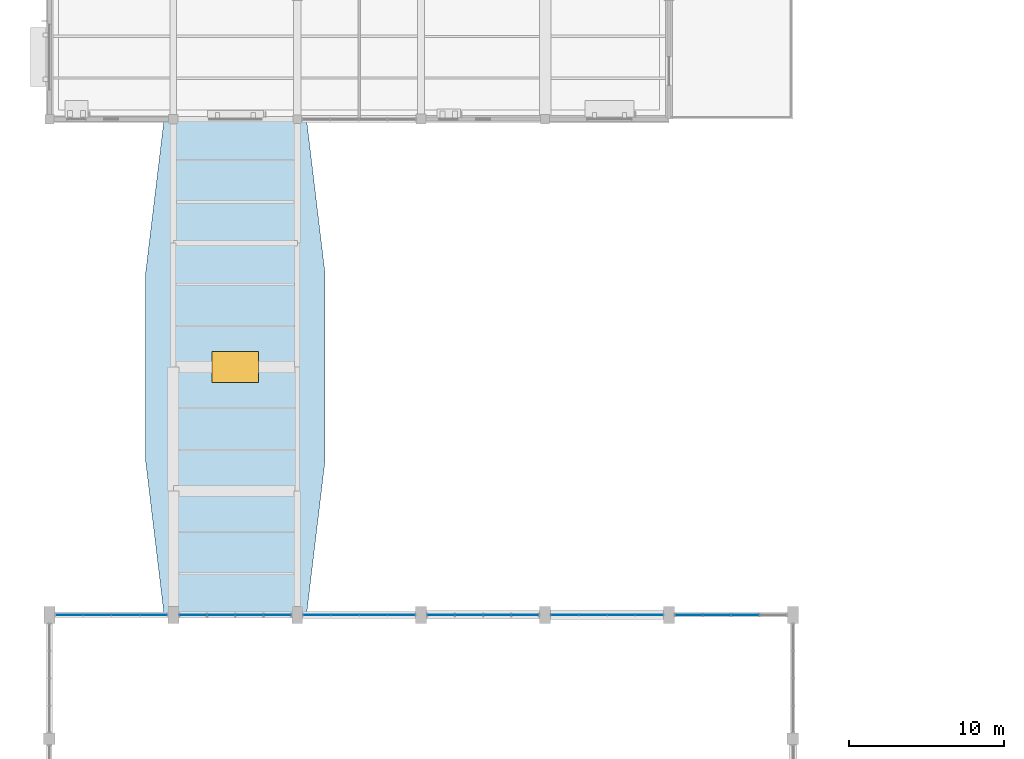
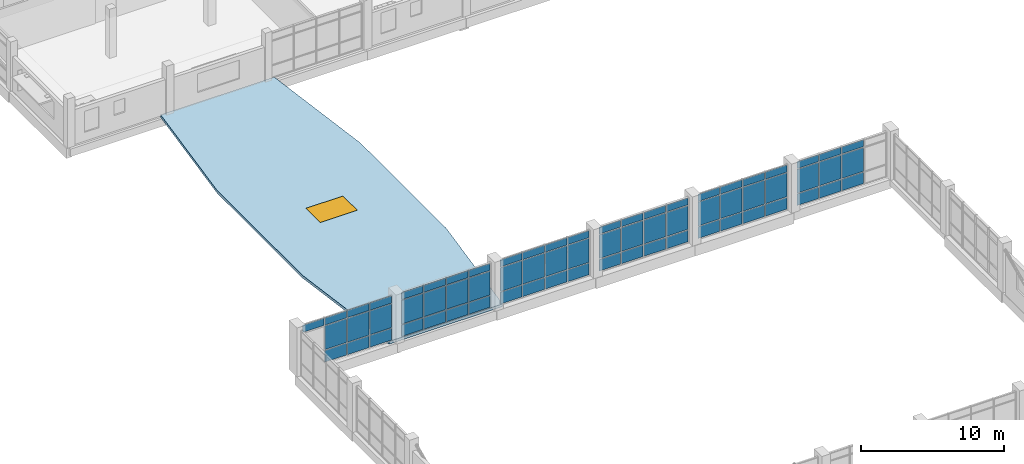
# One storey, part 49 of 72: 67 plates, 1 slab, 1 window, 1 opening, 6 elements without a shape of their own.
"""IFC4 building model written with IfcOpenShell, lengths in metres."""

from ifc_helpers import new_model, si_unit, direction, frame, origin, origin_2d, place, context, subcontext, project, spatial, polyline, rectangle, outline, extrude, material, layer, layer_set, type_object, element, fill, aggregate, save


model = new_model("IFC4")

# Units and contexts
model_context = context("Model", 3, precision=1e-05, world=origin(), true_north=direction((0.0, 1.0)))
body_context = subcontext(model_context, "Body", "Model", "MODEL_VIEW")
ifc_project = project(units=[si_unit("LENGTHUNIT", "METRE"), si_unit("AREAUNIT", "SQUARE_METRE"), si_unit("VOLUMEUNIT", "CUBIC_METRE"), si_unit("PLANEANGLEUNIT", "RADIAN"), si_unit("MASSUNIT", "GRAM", prefix="KILO")], contexts=[model_context])

# Site, building, storey
site_placement = place(None, origin())
site = spatial("IfcSite", under=ifc_project, at=site_placement, CompositionType="ELEMENT")
building_placement = place(site_placement, origin())
building = spatial("IfcBuilding", under=site, at=building_placement, Name="Tenunan Teduh Sports Hall", CompositionType="ELEMENT")
storey_placement = place(building_placement, frame((0.0, 0.0, 15.0)))
storey = spatial("IfcBuildingStorey", under=building, at=storey_placement, Name="L03", CompositionType="ELEMENT", Elevation=15.0)

# Curtain wall, plates
ifc_material_1 = material(Name="Anodised aluminium", Category="aluminium")
curtain_wall_type = type_object("IfcCurtainWallType", Name="CW-UNIT-2", PredefinedType="NOTDEFINED", material=ifc_material_1)
curtain_wall_1_placement = place(storey_placement, origin())
curtain_wall_1 = element("IfcCurtainWall", 1, at=curtain_wall_1_placement, inside=storey, type_object=curtain_wall_type, Name="CW-CWM-150-L03-075", PredefinedType="NOTDEFINED")
ifc_material_2 = material(Name="Solar-control laminated glazing", Category="glass")
ifc_layer_1 = layer(ifc_material_2, 0.031982421875)
ifc_layer_set_1 = layer_set([ifc_layer_1], Name="Solar-control laminated glazing")
plate_type_1 = type_object("IfcPlateType", Name="CWP-GLZ-32", PredefinedType="CURTAIN_PANEL", material=ifc_layer_set_1)
plate_1_placement = place(storey_placement, frame((7.277587890625, 46.0, 3.22998046875), z_axis=(0.0, 0.0, 1.0), x_axis=(1.0, 0.0, 0.0)))
plate_1 = element("IfcPlate", 2, at=plate_1_placement, type_object=plate_type_1, Name="CW-02 panel 1.3", PredefinedType="CURTAIN_PANEL", context=body_context, shape_type="SweptSolid", body=[
    extrude(rectangle(XDim=1.735107421875, YDim=0.031982421875, at=origin_2d()), origin(), (0.0, 0.0, 1.0), 0.610107421875),
])
plate_2_placement = place(storey_placement, frame((9.08740234375, 46.0, 1.1298828125), z_axis=(0.0, 0.0, 1.0), x_axis=(1.0, 0.0, 0.0)))
plate_2 = element("IfcPlate", 3, at=plate_2_placement, type_object=plate_type_1, Name="CW-02 panel 2.2", PredefinedType="CURTAIN_PANEL", context=body_context, shape_type="SweptSolid", body=[
    extrude(rectangle(XDim=1.764892578125, YDim=0.031982421875, at=origin_2d()), origin(), (0.0, 0.0, 1.0), 2.0400390625),
])
plate_3_placement = place(storey_placement, frame((9.08740234375, 46.0, 3.22998046875), z_axis=(0.0, 0.0, 1.0), x_axis=(1.0, 0.0, 0.0)))
plate_3 = element("IfcPlate", 4, at=plate_3_placement, type_object=plate_type_1, Name="CW-02 panel 2.3", PredefinedType="CURTAIN_PANEL", context=body_context, shape_type="SweptSolid", body=[
    extrude(rectangle(XDim=1.764892578125, YDim=0.031982421875, at=origin_2d()), origin(), (0.0, 0.0, 1.0), 0.610107421875),
])
plate_4_placement = place(storey_placement, frame((10.91259765625, 46.0, 1.1298828125), z_axis=(0.0, 0.0, 1.0), x_axis=(1.0, 0.0, 0.0)))
plate_4 = element("IfcPlate", 5, at=plate_4_placement, type_object=plate_type_1, Name="CW-02 panel 3.2", PredefinedType="CURTAIN_PANEL", context=body_context, shape_type="SweptSolid", body=[
    extrude(rectangle(XDim=1.764892578125, YDim=0.031982421875, at=origin_2d()), origin(), (0.0, 0.0, 1.0), 2.0400390625),
])
plate_5_placement = place(storey_placement, frame((10.91259765625, 46.0, 3.22998046875), z_axis=(0.0, 0.0, 1.0), x_axis=(1.0, 0.0, 0.0)))
plate_5 = element("IfcPlate", 6, at=plate_5_placement, type_object=plate_type_1, Name="CW-02 panel 3.3", PredefinedType="CURTAIN_PANEL", context=body_context, shape_type="SweptSolid", body=[
    extrude(rectangle(XDim=1.764892578125, YDim=0.031982421875, at=origin_2d()), origin(), (0.0, 0.0, 1.0), 0.610107421875),
])
plate_6_placement = place(storey_placement, frame((12.722412109375, 46.0, 1.1298828125), z_axis=(0.0, 0.0, 1.0), x_axis=(1.0, 0.0, 0.0)))
plate_6 = element("IfcPlate", 7, at=plate_6_placement, type_object=plate_type_1, Name="CW-02 panel 4.2", PredefinedType="CURTAIN_PANEL", context=body_context, shape_type="SweptSolid", body=[
    extrude(rectangle(XDim=1.735107421875, YDim=0.031982421875, at=origin_2d()), origin(), (0.0, 0.0, 1.0), 2.0400390625),
])
plate_7_placement = place(storey_placement, frame((12.722412109375, 46.0, 3.22998046875), z_axis=(0.0, 0.0, 1.0), x_axis=(1.0, 0.0, 0.0)))
plate_7 = element("IfcPlate", 8, at=plate_7_placement, type_object=plate_type_1, Name="CW-02 panel 4.3", PredefinedType="CURTAIN_PANEL", context=body_context, shape_type="SweptSolid", body=[
    extrude(rectangle(XDim=1.735107421875, YDim=0.031982421875, at=origin_2d()), origin(), (0.0, 0.0, 1.0), 0.610107421875),
])

curtain_wall_2_placement = place(storey_placement, origin())
curtain_wall_2 = element("IfcCurtainWall", 9, at=curtain_wall_2_placement, inside=storey, type_object=curtain_wall_type, Name="CW-CWM-220-L03-077", PredefinedType="NOTDEFINED")
plate_8_placement = place(storey_placement, frame((15.28125, 46.0, 1.137451171875), z_axis=(0.0, 0.0, 1.0), x_axis=(1.0, 0.0, 0.0)))
plate_8 = element("IfcPlate", 10, at=plate_8_placement, type_object=plate_type_1, Name="CW-02 panel 1.2", PredefinedType="CURTAIN_PANEL", context=body_context, shape_type="SweptSolid", body=[
    extrude(rectangle(XDim=1.71240234375, YDim=0.031982421875, at=origin_2d()), origin(), (0.0, 0.0, 1.0), 2.02490234375),
])
plate_9_placement = place(storey_placement, frame((15.28125, 46.0, 3.237548828125), z_axis=(0.0, 0.0, 1.0), x_axis=(1.0, 0.0, 0.0)))
plate_9 = element("IfcPlate", 11, at=plate_9_placement, type_object=plate_type_1, Name="CW-02 panel 1.3", PredefinedType="CURTAIN_PANEL", context=body_context, shape_type="SweptSolid", body=[
    extrude(rectangle(XDim=1.71240234375, YDim=0.031982421875, at=origin_2d()), origin(), (0.0, 0.0, 1.0), 0.58740234375),
])
plate_10_placement = place(storey_placement, frame((17.08740234375, 46.0, 1.137451171875), z_axis=(0.0, 0.0, 1.0), x_axis=(1.0, 0.0, 0.0)))
plate_10 = element("IfcPlate", 12, at=plate_10_placement, type_object=plate_type_1, Name="CW-02 panel 2.2", PredefinedType="CURTAIN_PANEL", context=body_context, shape_type="SweptSolid", body=[
    extrude(rectangle(XDim=1.75, YDim=0.031982421875, at=origin_2d()), origin(), (0.0, 0.0, 1.0), 2.02490234375),
])
plate_11_placement = place(storey_placement, frame((17.08740234375, 46.0, 3.237548828125), z_axis=(0.0, 0.0, 1.0), x_axis=(1.0, 0.0, 0.0)))
plate_11 = element("IfcPlate", 13, at=plate_11_placement, type_object=plate_type_1, Name="CW-02 panel 2.3", PredefinedType="CURTAIN_PANEL", context=body_context, shape_type="SweptSolid", body=[
    extrude(rectangle(XDim=1.75, YDim=0.031982421875, at=origin_2d()), origin(), (0.0, 0.0, 1.0), 0.58740234375),
])
plate_12_placement = place(storey_placement, frame((18.91259765625, 46.0, 1.137451171875), z_axis=(0.0, 0.0, 1.0), x_axis=(1.0, 0.0, 0.0)))
plate_12 = element("IfcPlate", 14, at=plate_12_placement, type_object=plate_type_1, Name="CW-02 panel 3.2", PredefinedType="CURTAIN_PANEL", context=body_context, shape_type="SweptSolid", body=[
    extrude(rectangle(XDim=1.75, YDim=0.031982421875, at=origin_2d()), origin(), (0.0, 0.0, 1.0), 2.02490234375),
])
plate_13_placement = place(storey_placement, frame((18.91259765625, 46.0, 3.237548828125), z_axis=(0.0, 0.0, 1.0), x_axis=(1.0, 0.0, 0.0)))
plate_13 = element("IfcPlate", 15, at=plate_13_placement, type_object=plate_type_1, Name="CW-02 panel 3.3", PredefinedType="CURTAIN_PANEL", context=body_context, shape_type="SweptSolid", body=[
    extrude(rectangle(XDim=1.75, YDim=0.031982421875, at=origin_2d()), origin(), (0.0, 0.0, 1.0), 0.58740234375),
])
plate_14_placement = place(storey_placement, frame((20.71875, 46.0, 1.137451171875), z_axis=(0.0, 0.0, 1.0), x_axis=(1.0, 0.0, 0.0)))
plate_14 = element("IfcPlate", 16, at=plate_14_placement, type_object=plate_type_1, Name="CW-02 panel 4.2", PredefinedType="CURTAIN_PANEL", context=body_context, shape_type="SweptSolid", body=[
    extrude(rectangle(XDim=1.71240234375, YDim=0.031982421875, at=origin_2d()), origin(), (0.0, 0.0, 1.0), 2.02490234375),
])
plate_15_placement = place(storey_placement, frame((20.71875, 46.0, 3.237548828125), z_axis=(0.0, 0.0, 1.0), x_axis=(1.0, 0.0, 0.0)))
plate_15 = element("IfcPlate", 17, at=plate_15_placement, type_object=plate_type_1, Name="CW-02 panel 4.3", PredefinedType="CURTAIN_PANEL", context=body_context, shape_type="SweptSolid", body=[
    extrude(rectangle(XDim=1.71240234375, YDim=0.031982421875, at=origin_2d()), origin(), (0.0, 0.0, 1.0), 0.58740234375),
])

curtain_wall_3_placement = place(storey_placement, origin())
curtain_wall_3 = element("IfcCurtainWall", 18, at=curtain_wall_3_placement, inside=storey, type_object=curtain_wall_type, Name="CW-CWM-150-L03-079", PredefinedType="NOTDEFINED")
plate_16_placement = place(storey_placement, frame((23.277587890625, 46.0, 1.1298828125), z_axis=(0.0, 0.0, 1.0), x_axis=(1.0, 0.0, 0.0)))
plate_16 = element("IfcPlate", 19, at=plate_16_placement, type_object=plate_type_1, Name="CW-02 panel 1.2", PredefinedType="CURTAIN_PANEL", context=body_context, shape_type="SweptSolid", body=[
    extrude(rectangle(XDim=1.735107421875, YDim=0.031982421875, at=origin_2d()), origin(), (0.0, 0.0, 1.0), 2.0400390625),
])
plate_17_placement = place(storey_placement, frame((23.277587890625, 46.0, 3.22998046875), z_axis=(0.0, 0.0, 1.0), x_axis=(1.0, 0.0, 0.0)))
plate_17 = element("IfcPlate", 20, at=plate_17_placement, type_object=plate_type_1, Name="CW-02 panel 1.3", PredefinedType="CURTAIN_PANEL", context=body_context, shape_type="SweptSolid", body=[
    extrude(rectangle(XDim=1.735107421875, YDim=0.031982421875, at=origin_2d()), origin(), (0.0, 0.0, 1.0), 0.610107421875),
])
plate_18_placement = place(storey_placement, frame((25.08740234375, 46.0, 1.1298828125), z_axis=(0.0, 0.0, 1.0), x_axis=(1.0, 0.0, 0.0)))
plate_18 = element("IfcPlate", 21, at=plate_18_placement, type_object=plate_type_1, Name="CW-02 panel 2.2", PredefinedType="CURTAIN_PANEL", context=body_context, shape_type="SweptSolid", body=[
    extrude(rectangle(XDim=1.764892578125, YDim=0.031982421875, at=origin_2d()), origin(), (0.0, 0.0, 1.0), 2.0400390625),
])
plate_19_placement = place(storey_placement, frame((25.08740234375, 46.0, 3.22998046875), z_axis=(0.0, 0.0, 1.0), x_axis=(1.0, 0.0, 0.0)))
plate_19 = element("IfcPlate", 22, at=plate_19_placement, type_object=plate_type_1, Name="CW-02 panel 2.3", PredefinedType="CURTAIN_PANEL", context=body_context, shape_type="SweptSolid", body=[
    extrude(rectangle(XDim=1.764892578125, YDim=0.031982421875, at=origin_2d()), origin(), (0.0, 0.0, 1.0), 0.610107421875),
])
plate_20_placement = place(storey_placement, frame((26.91259765625, 46.0, 1.1298828125), z_axis=(0.0, 0.0, 1.0), x_axis=(1.0, 0.0, 0.0)))
plate_20 = element("IfcPlate", 23, at=plate_20_placement, type_object=plate_type_1, Name="CW-02 panel 3.2", PredefinedType="CURTAIN_PANEL", context=body_context, shape_type="SweptSolid", body=[
    extrude(rectangle(XDim=1.764892578125, YDim=0.031982421875, at=origin_2d()), origin(), (0.0, 0.0, 1.0), 2.0400390625),
])
plate_21_placement = place(storey_placement, frame((26.91259765625, 46.0, 3.22998046875), z_axis=(0.0, 0.0, 1.0), x_axis=(1.0, 0.0, 0.0)))
plate_21 = element("IfcPlate", 24, at=plate_21_placement, type_object=plate_type_1, Name="CW-02 panel 3.3", PredefinedType="CURTAIN_PANEL", context=body_context, shape_type="SweptSolid", body=[
    extrude(rectangle(XDim=1.764892578125, YDim=0.031982421875, at=origin_2d()), origin(), (0.0, 0.0, 1.0), 0.610107421875),
])
plate_22_placement = place(storey_placement, frame((28.722412109375, 46.0, 1.1298828125), z_axis=(0.0, 0.0, 1.0), x_axis=(1.0, 0.0, 0.0)))
plate_22 = element("IfcPlate", 25, at=plate_22_placement, type_object=plate_type_1, Name="CW-02 panel 4.2", PredefinedType="CURTAIN_PANEL", context=body_context, shape_type="SweptSolid", body=[
    extrude(rectangle(XDim=1.735107421875, YDim=0.031982421875, at=origin_2d()), origin(), (0.0, 0.0, 1.0), 2.0400390625),
])
plate_23_placement = place(storey_placement, frame((28.722412109375, 46.0, 3.22998046875), z_axis=(0.0, 0.0, 1.0), x_axis=(1.0, 0.0, 0.0)))
plate_23 = element("IfcPlate", 26, at=plate_23_placement, type_object=plate_type_1, Name="CW-02 panel 4.3", PredefinedType="CURTAIN_PANEL", context=body_context, shape_type="SweptSolid", body=[
    extrude(rectangle(XDim=1.735107421875, YDim=0.031982421875, at=origin_2d()), origin(), (0.0, 0.0, 1.0), 0.610107421875),
])

curtain_wall_4_placement = place(storey_placement, origin())
curtain_wall_4 = element("IfcCurtainWall", 27, at=curtain_wall_4_placement, inside=storey, type_object=curtain_wall_type, Name="CW-CWM-220-L03-081", PredefinedType="NOTDEFINED")
plate_24_placement = place(storey_placement, frame((31.28125, 46.0, 1.137451171875), z_axis=(0.0, 0.0, 1.0), x_axis=(1.0, 0.0, 0.0)))
plate_24 = element("IfcPlate", 28, at=plate_24_placement, type_object=plate_type_1, Name="CW-02 panel 1.2", PredefinedType="CURTAIN_PANEL", context=body_context, shape_type="SweptSolid", body=[
    extrude(rectangle(XDim=1.71240234375, YDim=0.031982421875, at=origin_2d()), origin(), (0.0, 0.0, 1.0), 2.02490234375),
])
plate_25_placement = place(storey_placement, frame((31.28125, 46.0, 3.237548828125), z_axis=(0.0, 0.0, 1.0), x_axis=(1.0, 0.0, 0.0)))
plate_25 = element("IfcPlate", 29, at=plate_25_placement, type_object=plate_type_1, Name="CW-02 panel 1.3", PredefinedType="CURTAIN_PANEL", context=body_context, shape_type="SweptSolid", body=[
    extrude(rectangle(XDim=1.71240234375, YDim=0.031982421875, at=origin_2d()), origin(), (0.0, 0.0, 1.0), 0.58740234375),
])
plate_26_placement = place(storey_placement, frame((33.08740234375, 46.0, 1.137451171875), z_axis=(0.0, 0.0, 1.0), x_axis=(1.0, 0.0, 0.0)))
plate_26 = element("IfcPlate", 30, at=plate_26_placement, type_object=plate_type_1, Name="CW-02 panel 2.2", PredefinedType="CURTAIN_PANEL", context=body_context, shape_type="SweptSolid", body=[
    extrude(rectangle(XDim=1.75, YDim=0.031982421875, at=origin_2d()), origin(), (0.0, 0.0, 1.0), 2.02490234375),
])
plate_27_placement = place(storey_placement, frame((33.08740234375, 46.0, 3.237548828125), z_axis=(0.0, 0.0, 1.0), x_axis=(1.0, 0.0, 0.0)))
plate_27 = element("IfcPlate", 31, at=plate_27_placement, type_object=plate_type_1, Name="CW-02 panel 2.3", PredefinedType="CURTAIN_PANEL", context=body_context, shape_type="SweptSolid", body=[
    extrude(rectangle(XDim=1.75, YDim=0.031982421875, at=origin_2d()), origin(), (0.0, 0.0, 1.0), 0.58740234375),
])
plate_28_placement = place(storey_placement, frame((34.91259765625, 46.0, 1.137451171875), z_axis=(0.0, 0.0, 1.0), x_axis=(1.0, 0.0, 0.0)))
plate_28 = element("IfcPlate", 32, at=plate_28_placement, type_object=plate_type_1, Name="CW-02 panel 3.2", PredefinedType="CURTAIN_PANEL", context=body_context, shape_type="SweptSolid", body=[
    extrude(rectangle(XDim=1.75, YDim=0.031982421875, at=origin_2d()), origin(), (0.0, 0.0, 1.0), 2.02490234375),
])
plate_29_placement = place(storey_placement, frame((34.91259765625, 46.0, 3.237548828125), z_axis=(0.0, 0.0, 1.0), x_axis=(1.0, 0.0, 0.0)))
plate_29 = element("IfcPlate", 33, at=plate_29_placement, type_object=plate_type_1, Name="CW-02 panel 3.3", PredefinedType="CURTAIN_PANEL", context=body_context, shape_type="SweptSolid", body=[
    extrude(rectangle(XDim=1.75, YDim=0.031982421875, at=origin_2d()), origin(), (0.0, 0.0, 1.0), 0.58740234375),
])
plate_30_placement = place(storey_placement, frame((36.71875, 46.0, 1.137451171875), z_axis=(0.0, 0.0, 1.0), x_axis=(1.0, 0.0, 0.0)))
plate_30 = element("IfcPlate", 34, at=plate_30_placement, type_object=plate_type_1, Name="CW-02 panel 4.2", PredefinedType="CURTAIN_PANEL", context=body_context, shape_type="SweptSolid", body=[
    extrude(rectangle(XDim=1.71240234375, YDim=0.031982421875, at=origin_2d()), origin(), (0.0, 0.0, 1.0), 2.02490234375),
])
plate_31_placement = place(storey_placement, frame((36.71875, 46.0, 3.237548828125), z_axis=(0.0, 0.0, 1.0), x_axis=(1.0, 0.0, 0.0)))
plate_31 = element("IfcPlate", 35, at=plate_31_placement, type_object=plate_type_1, Name="CW-02 panel 4.3", PredefinedType="CURTAIN_PANEL", context=body_context, shape_type="SweptSolid", body=[
    extrude(rectangle(XDim=1.71240234375, YDim=0.031982421875, at=origin_2d()), origin(), (0.0, 0.0, 1.0), 0.58740234375),
])

curtain_wall_5_placement = place(storey_placement, origin())
curtain_wall_5 = element("IfcCurtainWall", 36, at=curtain_wall_5_placement, inside=storey, type_object=curtain_wall_type, Name="CW-CWM-150-L03-083", PredefinedType="NOTDEFINED")
plate_32_placement = place(storey_placement, frame((39.277587890625, 46.0, 1.1298828125), z_axis=(0.0, 0.0, 1.0), x_axis=(1.0, 0.0, 0.0)))
plate_32 = element("IfcPlate", 37, at=plate_32_placement, type_object=plate_type_1, Name="CW-02 panel 1.2", PredefinedType="CURTAIN_PANEL", context=body_context, shape_type="SweptSolid", body=[
    extrude(rectangle(XDim=1.735107421875, YDim=0.031982421875, at=origin_2d()), origin(), (0.0, 0.0, 1.0), 2.0400390625),
])
plate_33_placement = place(storey_placement, frame((39.277587890625, 46.0, 3.22998046875), z_axis=(0.0, 0.0, 1.0), x_axis=(1.0, 0.0, 0.0)))
plate_33 = element("IfcPlate", 38, at=plate_33_placement, type_object=plate_type_1, Name="CW-02 panel 1.3", PredefinedType="CURTAIN_PANEL", context=body_context, shape_type="SweptSolid", body=[
    extrude(rectangle(XDim=1.735107421875, YDim=0.031982421875, at=origin_2d()), origin(), (0.0, 0.0, 1.0), 0.610107421875),
])
plate_34_placement = place(storey_placement, frame((41.08740234375, 46.0, 1.1298828125), z_axis=(0.0, 0.0, 1.0), x_axis=(1.0, 0.0, 0.0)))
plate_34 = element("IfcPlate", 39, at=plate_34_placement, type_object=plate_type_1, Name="CW-02 panel 2.2", PredefinedType="CURTAIN_PANEL", context=body_context, shape_type="SweptSolid", body=[
    extrude(rectangle(XDim=1.764892578125, YDim=0.031982421875, at=origin_2d()), origin(), (0.0, 0.0, 1.0), 2.0400390625),
])
plate_35_placement = place(storey_placement, frame((41.08740234375, 46.0, 3.22998046875), z_axis=(0.0, 0.0, 1.0), x_axis=(1.0, 0.0, 0.0)))
plate_35 = element("IfcPlate", 40, at=plate_35_placement, type_object=plate_type_1, Name="CW-02 panel 2.3", PredefinedType="CURTAIN_PANEL", context=body_context, shape_type="SweptSolid", body=[
    extrude(rectangle(XDim=1.764892578125, YDim=0.031982421875, at=origin_2d()), origin(), (0.0, 0.0, 1.0), 0.610107421875),
])
plate_36_placement = place(storey_placement, frame((42.91259765625, 46.0, 1.1298828125), z_axis=(0.0, 0.0, 1.0), x_axis=(1.0, 0.0, 0.0)))
plate_36 = element("IfcPlate", 41, at=plate_36_placement, type_object=plate_type_1, Name="CW-02 panel 3.2", PredefinedType="CURTAIN_PANEL", context=body_context, shape_type="SweptSolid", body=[
    extrude(rectangle(XDim=1.764892578125, YDim=0.031982421875, at=origin_2d()), origin(), (0.0, 0.0, 1.0), 2.0400390625),
])
plate_37_placement = place(storey_placement, frame((42.91259765625, 46.0, 3.22998046875), z_axis=(0.0, 0.0, 1.0), x_axis=(1.0, 0.0, 0.0)))
plate_37 = element("IfcPlate", 42, at=plate_37_placement, type_object=plate_type_1, Name="CW-02 panel 3.3", PredefinedType="CURTAIN_PANEL", context=body_context, shape_type="SweptSolid", body=[
    extrude(rectangle(XDim=1.764892578125, YDim=0.031982421875, at=origin_2d()), origin(), (0.0, 0.0, 1.0), 0.610107421875),
])
plate_38_placement = place(storey_placement, frame((44.722412109375, 46.0, 1.1298828125), z_axis=(0.0, 0.0, 1.0), x_axis=(1.0, 0.0, 0.0)))
plate_38 = element("IfcPlate", 43, at=plate_38_placement, type_object=plate_type_1, Name="CW-02 panel 4.2", PredefinedType="CURTAIN_PANEL", context=body_context, shape_type="SweptSolid", body=[
    extrude(rectangle(XDim=1.735107421875, YDim=0.031982421875, at=origin_2d()), origin(), (0.0, 0.0, 1.0), 2.0400390625),
])
plate_39_placement = place(storey_placement, frame((44.722412109375, 46.0, 3.22998046875), z_axis=(0.0, 0.0, 1.0), x_axis=(1.0, 0.0, 0.0)))
plate_39 = element("IfcPlate", 44, at=plate_39_placement, type_object=plate_type_1, Name="CW-02 panel 4.3", PredefinedType="CURTAIN_PANEL", context=body_context, shape_type="SweptSolid", body=[
    extrude(rectangle(XDim=1.735107421875, YDim=0.031982421875, at=origin_2d()), origin(), (0.0, 0.0, 1.0), 0.610107421875),
])

curtain_wall_6_placement = place(storey_placement, origin())
curtain_wall_6 = element("IfcCurtainWall", 45, at=curtain_wall_6_placement, inside=storey, type_object=curtain_wall_type, Name="CW-CWM-220-L03-085", PredefinedType="NOTDEFINED")
plate_40_placement = place(storey_placement, frame((47.28125, 46.0, 1.137451171875), z_axis=(0.0, 0.0, 1.0), x_axis=(1.0, 0.0, 0.0)))
plate_40 = element("IfcPlate", 46, at=plate_40_placement, type_object=plate_type_1, Name="CW-02 panel 1.2", PredefinedType="CURTAIN_PANEL", context=body_context, shape_type="SweptSolid", body=[
    extrude(rectangle(XDim=1.71240234375, YDim=0.031982421875, at=origin_2d()), origin(), (0.0, 0.0, 1.0), 2.02490234375),
])
plate_41_placement = place(storey_placement, frame((47.28125, 46.0, 3.237548828125), z_axis=(0.0, 0.0, 1.0), x_axis=(1.0, 0.0, 0.0)))
plate_41 = element("IfcPlate", 47, at=plate_41_placement, type_object=plate_type_1, Name="CW-02 panel 1.3", PredefinedType="CURTAIN_PANEL", context=body_context, shape_type="SweptSolid", body=[
    extrude(rectangle(XDim=1.71240234375, YDim=0.031982421875, at=origin_2d()), origin(), (0.0, 0.0, 1.0), 0.58740234375),
])
plate_42_placement = place(storey_placement, frame((49.08740234375, 46.0, 1.137451171875), z_axis=(0.0, 0.0, 1.0), x_axis=(1.0, 0.0, 0.0)))
plate_42 = element("IfcPlate", 48, at=plate_42_placement, type_object=plate_type_1, Name="CW-02 panel 2.2", PredefinedType="CURTAIN_PANEL", context=body_context, shape_type="SweptSolid", body=[
    extrude(rectangle(XDim=1.75, YDim=0.031982421875, at=origin_2d()), origin(), (0.0, 0.0, 1.0), 2.02490234375),
])
plate_43_placement = place(storey_placement, frame((49.08740234375, 46.0, 3.237548828125), z_axis=(0.0, 0.0, 1.0), x_axis=(1.0, 0.0, 0.0)))
plate_43 = element("IfcPlate", 49, at=plate_43_placement, type_object=plate_type_1, Name="CW-02 panel 2.3", PredefinedType="CURTAIN_PANEL", context=body_context, shape_type="SweptSolid", body=[
    extrude(rectangle(XDim=1.75, YDim=0.031982421875, at=origin_2d()), origin(), (0.0, 0.0, 1.0), 0.58740234375),
])
plate_44_placement = place(storey_placement, frame((50.91259765625, 46.0, 1.137451171875), z_axis=(0.0, 0.0, 1.0), x_axis=(1.0, 0.0, 0.0)))
plate_44 = element("IfcPlate", 50, at=plate_44_placement, type_object=plate_type_1, Name="CW-02 panel 3.2", PredefinedType="CURTAIN_PANEL", context=body_context, shape_type="SweptSolid", body=[
    extrude(rectangle(XDim=1.75, YDim=0.031982421875, at=origin_2d()), origin(), (0.0, 0.0, 1.0), 2.02490234375),
])
plate_45_placement = place(storey_placement, frame((50.91259765625, 46.0, 3.237548828125), z_axis=(0.0, 0.0, 1.0), x_axis=(1.0, 0.0, 0.0)))
plate_45 = element("IfcPlate", 51, at=plate_45_placement, type_object=plate_type_1, Name="CW-02 panel 3.3", PredefinedType="CURTAIN_PANEL", context=body_context, shape_type="SweptSolid", body=[
    extrude(rectangle(XDim=1.75, YDim=0.031982421875, at=origin_2d()), origin(), (0.0, 0.0, 1.0), 0.58740234375),
])

# Plate
ifc_material_3 = material(Name="Insulated aluminium spandrel panel", Category="aluminium")
ifc_layer_2 = layer(ifc_material_3, 0.044921875)
ifc_layer_set_2 = layer_set([ifc_layer_2], Name="Insulated aluminium spandrel panel")
plate_type_2 = type_object("IfcPlateType", Name="CWP-SPN-45", PredefinedType="CURTAIN_PANEL", material=ifc_layer_set_2)
plate_46_placement = place(storey_placement, frame((9.08740234375, 46.0, 0.06005859375), z_axis=(0.0, 0.0, 1.0), x_axis=(1.0, 0.0, 0.0)))
plate_46 = element("IfcPlate", 52, at=plate_46_placement, type_object=plate_type_2, Name="CW-02 panel 2.1", PredefinedType="CURTAIN_PANEL", context=body_context, shape_type="SweptSolid", body=[
    extrude(rectangle(XDim=1.764892578125, YDim=0.031982421875, at=origin_2d()), origin(), (0.0, 0.0, 1.0), 1.010009765625),
])

plate_47_placement = place(storey_placement, frame((10.91259765625, 46.0, 0.06005859375), z_axis=(0.0, 0.0, 1.0), x_axis=(1.0, 0.0, 0.0)))
plate_47 = element("IfcPlate", 53, at=plate_47_placement, type_object=plate_type_2, Name="CW-02 panel 3.1", PredefinedType="CURTAIN_PANEL", context=body_context, shape_type="SweptSolid", body=[
    extrude(rectangle(XDim=1.764892578125, YDim=0.031982421875, at=origin_2d()), origin(), (0.0, 0.0, 1.0), 1.010009765625),
])

plate_48_placement = place(storey_placement, frame((12.722412109375, 46.0, 0.06005859375), z_axis=(0.0, 0.0, 1.0), x_axis=(1.0, 0.0, 0.0)))
plate_48 = element("IfcPlate", 54, at=plate_48_placement, type_object=plate_type_2, Name="CW-02 panel 4.1", PredefinedType="CURTAIN_PANEL", context=body_context, shape_type="SweptSolid", body=[
    extrude(rectangle(XDim=1.735107421875, YDim=0.031982421875, at=origin_2d()), origin(), (0.0, 0.0, 1.0), 1.010009765625),
])

aggregate(curtain_wall_1, [plate_1, plate_46, plate_2, plate_3, plate_47, plate_4, plate_5, plate_48, plate_6, plate_7])

plate_49_placement = place(storey_placement, frame((15.28125, 46.0, 0.0751953125), z_axis=(0.0, 0.0, 1.0), x_axis=(1.0, 0.0, 0.0)))
plate_49 = element("IfcPlate", 55, at=plate_49_placement, type_object=plate_type_2, Name="CW-02 panel 1.1", PredefinedType="CURTAIN_PANEL", context=body_context, shape_type="SweptSolid", body=[
    extrude(rectangle(XDim=1.71240234375, YDim=0.031982421875, at=origin_2d()), origin(), (0.0, 0.0, 1.0), 0.987548828125),
])

plate_50_placement = place(storey_placement, frame((17.08740234375, 46.0, 0.0751953125), z_axis=(0.0, 0.0, 1.0), x_axis=(1.0, 0.0, 0.0)))
plate_50 = element("IfcPlate", 56, at=plate_50_placement, type_object=plate_type_2, Name="CW-02 panel 2.1", PredefinedType="CURTAIN_PANEL", context=body_context, shape_type="SweptSolid", body=[
    extrude(rectangle(XDim=1.75, YDim=0.031982421875, at=origin_2d()), origin(), (0.0, 0.0, 1.0), 0.987548828125),
])

plate_51_placement = place(storey_placement, frame((18.91259765625, 46.0, 0.0751953125), z_axis=(0.0, 0.0, 1.0), x_axis=(1.0, 0.0, 0.0)))
plate_51 = element("IfcPlate", 57, at=plate_51_placement, type_object=plate_type_2, Name="CW-02 panel 3.1", PredefinedType="CURTAIN_PANEL", context=body_context, shape_type="SweptSolid", body=[
    extrude(rectangle(XDim=1.75, YDim=0.031982421875, at=origin_2d()), origin(), (0.0, 0.0, 1.0), 0.987548828125),
])

plate_52_placement = place(storey_placement, frame((20.71875, 46.0, 0.0751953125), z_axis=(0.0, 0.0, 1.0), x_axis=(1.0, 0.0, 0.0)))
plate_52 = element("IfcPlate", 58, at=plate_52_placement, type_object=plate_type_2, Name="CW-02 panel 4.1", PredefinedType="CURTAIN_PANEL", context=body_context, shape_type="SweptSolid", body=[
    extrude(rectangle(XDim=1.71240234375, YDim=0.031982421875, at=origin_2d()), origin(), (0.0, 0.0, 1.0), 0.987548828125),
])

aggregate(curtain_wall_2, [plate_49, plate_8, plate_9, plate_50, plate_10, plate_11, plate_51, plate_12, plate_13, plate_52, plate_14, plate_15])

plate_53_placement = place(storey_placement, frame((23.277587890625, 46.0, 0.06005859375), z_axis=(0.0, 0.0, 1.0), x_axis=(1.0, 0.0, 0.0)))
plate_53 = element("IfcPlate", 59, at=plate_53_placement, type_object=plate_type_2, Name="CW-02 panel 1.1", PredefinedType="CURTAIN_PANEL", context=body_context, shape_type="SweptSolid", body=[
    extrude(rectangle(XDim=1.735107421875, YDim=0.031982421875, at=origin_2d()), origin(), (0.0, 0.0, 1.0), 1.010009765625),
])

plate_54_placement = place(storey_placement, frame((25.08740234375, 46.0, 0.06005859375), z_axis=(0.0, 0.0, 1.0), x_axis=(1.0, 0.0, 0.0)))
plate_54 = element("IfcPlate", 60, at=plate_54_placement, type_object=plate_type_2, Name="CW-02 panel 2.1", PredefinedType="CURTAIN_PANEL", context=body_context, shape_type="SweptSolid", body=[
    extrude(rectangle(XDim=1.764892578125, YDim=0.031982421875, at=origin_2d()), origin(), (0.0, 0.0, 1.0), 1.010009765625),
])

plate_55_placement = place(storey_placement, frame((26.91259765625, 46.0, 0.06005859375), z_axis=(0.0, 0.0, 1.0), x_axis=(1.0, 0.0, 0.0)))
plate_55 = element("IfcPlate", 61, at=plate_55_placement, type_object=plate_type_2, Name="CW-02 panel 3.1", PredefinedType="CURTAIN_PANEL", context=body_context, shape_type="SweptSolid", body=[
    extrude(rectangle(XDim=1.764892578125, YDim=0.031982421875, at=origin_2d()), origin(), (0.0, 0.0, 1.0), 1.010009765625),
])

plate_56_placement = place(storey_placement, frame((28.722412109375, 46.0, 0.06005859375), z_axis=(0.0, 0.0, 1.0), x_axis=(1.0, 0.0, 0.0)))
plate_56 = element("IfcPlate", 62, at=plate_56_placement, type_object=plate_type_2, Name="CW-02 panel 4.1", PredefinedType="CURTAIN_PANEL", context=body_context, shape_type="SweptSolid", body=[
    extrude(rectangle(XDim=1.735107421875, YDim=0.031982421875, at=origin_2d()), origin(), (0.0, 0.0, 1.0), 1.010009765625),
])

aggregate(curtain_wall_3, [plate_53, plate_16, plate_17, plate_54, plate_18, plate_19, plate_55, plate_20, plate_21, plate_56, plate_22, plate_23])

plate_57_placement = place(storey_placement, frame((31.28125, 46.0, 0.0751953125), z_axis=(0.0, 0.0, 1.0), x_axis=(1.0, 0.0, 0.0)))
plate_57 = element("IfcPlate", 63, at=plate_57_placement, type_object=plate_type_2, Name="CW-02 panel 1.1", PredefinedType="CURTAIN_PANEL", context=body_context, shape_type="SweptSolid", body=[
    extrude(rectangle(XDim=1.71240234375, YDim=0.031982421875, at=origin_2d()), origin(), (0.0, 0.0, 1.0), 0.987548828125),
])

plate_58_placement = place(storey_placement, frame((33.08740234375, 46.0, 0.0751953125), z_axis=(0.0, 0.0, 1.0), x_axis=(1.0, 0.0, 0.0)))
plate_58 = element("IfcPlate", 64, at=plate_58_placement, type_object=plate_type_2, Name="CW-02 panel 2.1", PredefinedType="CURTAIN_PANEL", context=body_context, shape_type="SweptSolid", body=[
    extrude(rectangle(XDim=1.75, YDim=0.031982421875, at=origin_2d()), origin(), (0.0, 0.0, 1.0), 0.987548828125),
])

plate_59_placement = place(storey_placement, frame((34.91259765625, 46.0, 0.0751953125), z_axis=(0.0, 0.0, 1.0), x_axis=(1.0, 0.0, 0.0)))
plate_59 = element("IfcPlate", 65, at=plate_59_placement, type_object=plate_type_2, Name="CW-02 panel 3.1", PredefinedType="CURTAIN_PANEL", context=body_context, shape_type="SweptSolid", body=[
    extrude(rectangle(XDim=1.75, YDim=0.031982421875, at=origin_2d()), origin(), (0.0, 0.0, 1.0), 0.987548828125),
])

plate_60_placement = place(storey_placement, frame((36.71875, 46.0, 0.0751953125), z_axis=(0.0, 0.0, 1.0), x_axis=(1.0, 0.0, 0.0)))
plate_60 = element("IfcPlate", 66, at=plate_60_placement, type_object=plate_type_2, Name="CW-02 panel 4.1", PredefinedType="CURTAIN_PANEL", context=body_context, shape_type="SweptSolid", body=[
    extrude(rectangle(XDim=1.71240234375, YDim=0.031982421875, at=origin_2d()), origin(), (0.0, 0.0, 1.0), 0.987548828125),
])

aggregate(curtain_wall_4, [plate_57, plate_24, plate_25, plate_58, plate_26, plate_27, plate_59, plate_28, plate_29, plate_60, plate_30, plate_31])

plate_61_placement = place(storey_placement, frame((39.277587890625, 46.0, 0.06005859375), z_axis=(0.0, 0.0, 1.0), x_axis=(1.0, 0.0, 0.0)))
plate_61 = element("IfcPlate", 67, at=plate_61_placement, type_object=plate_type_2, Name="CW-02 panel 1.1", PredefinedType="CURTAIN_PANEL", context=body_context, shape_type="SweptSolid", body=[
    extrude(rectangle(XDim=1.735107421875, YDim=0.031982421875, at=origin_2d()), origin(), (0.0, 0.0, 1.0), 1.010009765625),
])

plate_62_placement = place(storey_placement, frame((41.08740234375, 46.0, 0.06005859375), z_axis=(0.0, 0.0, 1.0), x_axis=(1.0, 0.0, 0.0)))
plate_62 = element("IfcPlate", 68, at=plate_62_placement, type_object=plate_type_2, Name="CW-02 panel 2.1", PredefinedType="CURTAIN_PANEL", context=body_context, shape_type="SweptSolid", body=[
    extrude(rectangle(XDim=1.764892578125, YDim=0.031982421875, at=origin_2d()), origin(), (0.0, 0.0, 1.0), 1.010009765625),
])

plate_63_placement = place(storey_placement, frame((42.91259765625, 46.0, 0.06005859375), z_axis=(0.0, 0.0, 1.0), x_axis=(1.0, 0.0, 0.0)))
plate_63 = element("IfcPlate", 69, at=plate_63_placement, type_object=plate_type_2, Name="CW-02 panel 3.1", PredefinedType="CURTAIN_PANEL", context=body_context, shape_type="SweptSolid", body=[
    extrude(rectangle(XDim=1.764892578125, YDim=0.031982421875, at=origin_2d()), origin(), (0.0, 0.0, 1.0), 1.010009765625),
])

plate_64_placement = place(storey_placement, frame((44.722412109375, 46.0, 0.06005859375), z_axis=(0.0, 0.0, 1.0), x_axis=(1.0, 0.0, 0.0)))
plate_64 = element("IfcPlate", 70, at=plate_64_placement, type_object=plate_type_2, Name="CW-02 panel 4.1", PredefinedType="CURTAIN_PANEL", context=body_context, shape_type="SweptSolid", body=[
    extrude(rectangle(XDim=1.735107421875, YDim=0.031982421875, at=origin_2d()), origin(), (0.0, 0.0, 1.0), 1.010009765625),
])

aggregate(curtain_wall_5, [plate_61, plate_32, plate_33, plate_62, plate_34, plate_35, plate_63, plate_36, plate_37, plate_64, plate_38, plate_39])

plate_65_placement = place(storey_placement, frame((47.28125, 46.0, 0.0751953125), z_axis=(0.0, 0.0, 1.0), x_axis=(1.0, 0.0, 0.0)))
plate_65 = element("IfcPlate", 71, at=plate_65_placement, type_object=plate_type_2, Name="CW-02 panel 1.1", PredefinedType="CURTAIN_PANEL", context=body_context, shape_type="SweptSolid", body=[
    extrude(rectangle(XDim=1.71240234375, YDim=0.031982421875, at=origin_2d()), origin(), (0.0, 0.0, 1.0), 0.987548828125),
])

plate_66_placement = place(storey_placement, frame((49.08740234375, 46.0, 0.0751953125), z_axis=(0.0, 0.0, 1.0), x_axis=(1.0, 0.0, 0.0)))
plate_66 = element("IfcPlate", 72, at=plate_66_placement, type_object=plate_type_2, Name="CW-02 panel 2.1", PredefinedType="CURTAIN_PANEL", context=body_context, shape_type="SweptSolid", body=[
    extrude(rectangle(XDim=1.75, YDim=0.031982421875, at=origin_2d()), origin(), (0.0, 0.0, 1.0), 0.987548828125),
])

plate_67_placement = place(storey_placement, frame((50.91259765625, 46.0, 0.0751953125), z_axis=(0.0, 0.0, 1.0), x_axis=(1.0, 0.0, 0.0)))
plate_67 = element("IfcPlate", 73, at=plate_67_placement, type_object=plate_type_2, Name="CW-02 panel 3.1", PredefinedType="CURTAIN_PANEL", context=body_context, shape_type="SweptSolid", body=[
    extrude(rectangle(XDim=1.75, YDim=0.031982421875, at=origin_2d()), origin(), (0.0, 0.0, 1.0), 0.987548828125),
])

aggregate(curtain_wall_6, [plate_65, plate_40, plate_41, plate_66, plate_42, plate_43, plate_67, plate_44, plate_45])

# Slab, opening, window
ifc_material_4 = material(Name="Concrete C40/50", Category="concrete")
ifc_layer_3 = layer(ifc_material_4, 0.22998046875)
ifc_layer_set_3 = layer_set([ifc_layer_3], Name="Concrete C40/50")
slab_type = type_object("IfcSlabType", Name="SLB-ROOF-230", PredefinedType="ROOF", material=ifc_layer_set_3)
slab_placement = place(storey_placement, frame((0.0, 0.0, -0.22998046875)))
slab = element("IfcSlab", 74, at=slab_placement, inside=storey, type_object=slab_type, Name="SL-L03-SKYBRG-RF", PredefinedType="ROOF", context=body_context, shape_type="SweptSolid", body=[
    extrude(outline(polyline([(13.39990234375, 46.0), (22.60009765625, 46.0), (23.800048828125, 56.0), (23.800048828125, 68.0), (22.60009765625, 78.0), (13.39990234375, 78.0), (12.199951171875, 68.0), (12.199951171875, 56.0), (13.39990234375, 46.0)])), origin(), (0.0, 0.0, 1.0), 0.22998046875),
])
opening_placement = place(slab_placement, frame((18.0, 62.0, 0.0)))
opening = element("IfcOpeningElement", 75, at=opening_placement, cuts=slab, Name="Opening SK-02", PredefinedType="OPENING", context=body_context, shape_type="SweptSolid", body=[
    extrude(rectangle(XDim=3.0, YDim=2.0, at=origin_2d()), origin(), (0.0, 0.0, 1.0), 0.22998046875),
])
ifc_material_5 = material(Name="Thermally broken aluminium and Low-E glazing", Category="aluminium")
window_type = type_object("IfcWindowType", Name="SKY-02", PartitioningType="SINGLE_PANEL", PredefinedType="SKYLIGHT", material=ifc_material_5)
window_placement = place(opening_placement, frame((0.0, 0.0, 0.179931640625)))
window = element("IfcWindow", 76, at=window_placement, inside=storey, type_object=window_type, Name="SKY-L03-18", OverallHeight=2.0, OverallWidth=3.0, PartitioningType="SINGLE_PANEL", PredefinedType="SKYLIGHT", context=body_context, shape_type="SweptSolid", body=[
    extrude(rectangle(XDim=3.0, YDim=2.0, at=origin_2d()), origin(), (0.0, 0.0, 1.0), 0.050048828125),
])
fill(opening, window)

save(model, "model.ifc")
